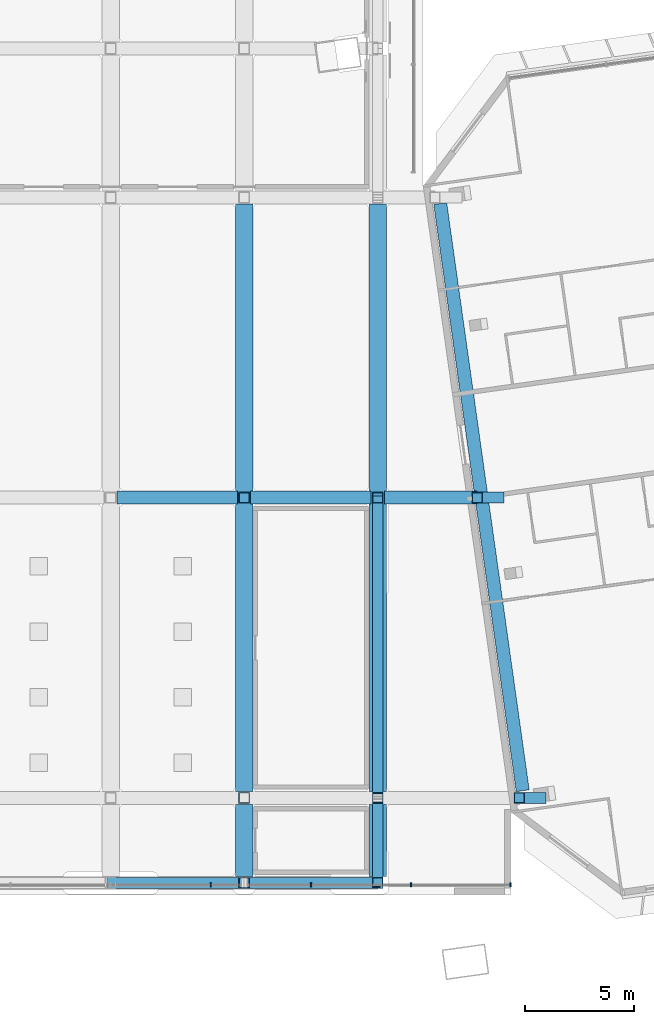
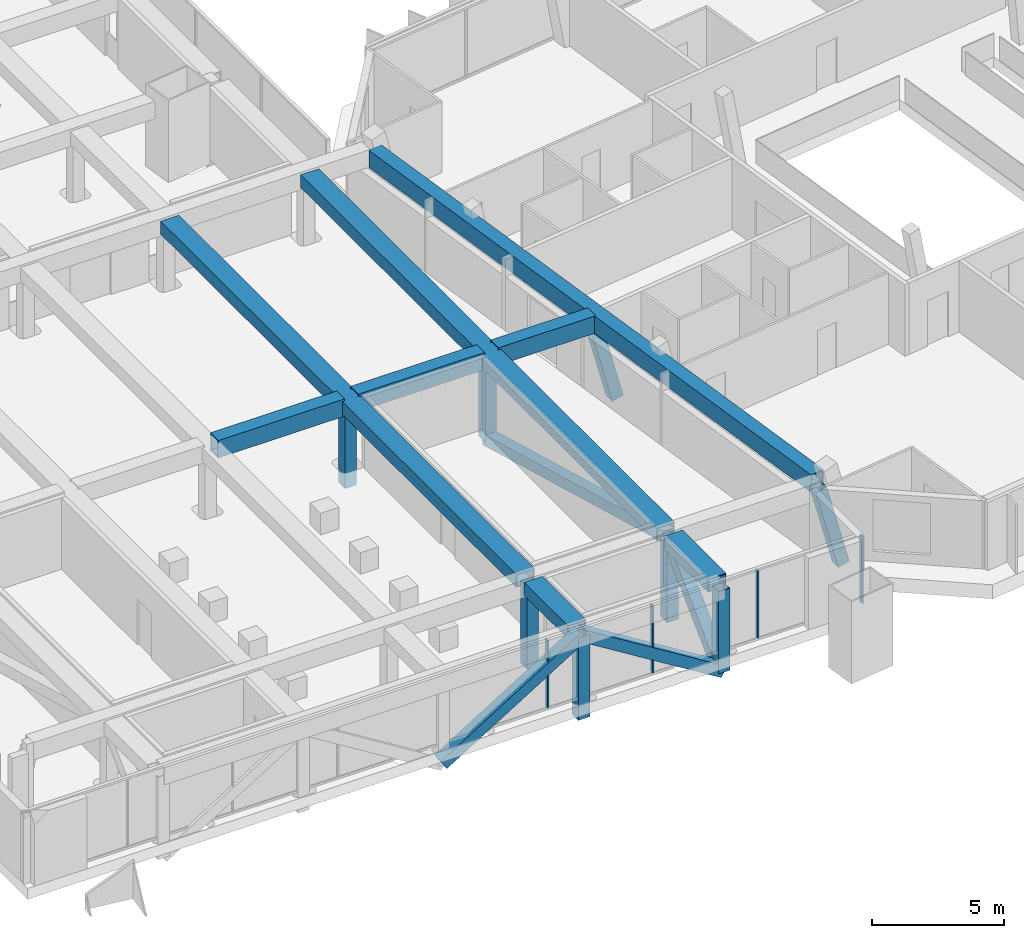
# One storey, part 10 of 30: 23 members, 1 beam, 1 element without a shape of its own.
"""IFC4 building model written with IfcOpenShell, lengths in metres."""

import ifcopenshell
import ifcopenshell.guid

model = None  # the IFC model being written
_history = None  # IfcOwnerHistory: only IFC2X3 demands one
_inside = {}  # id of a spatial element -> (the spatial element, [elements in it])
_under = {}  # id of a project, library or spatial element -> (it, [spatial elements below it])
_declared = {}  # id of a project -> (the project, [libraries it declares])
_typed = {}  # id of a type object -> (the type object, [elements of that type])
_made_of = {}  # id of a material, layer set ... -> (it, [elements and type objects made of it])


def new_model(schema):
    """Start an empty IFC model of exactly this schema.

    Asked for "IFC4X3", IfcOpenShell would pick the latest addendum, in which some entities
    have other attributes; the version numbers below select the first issue.
    IFC2X3 requires an IfcOwnerHistory on every rooted entity: one is made here for all.
    """
    global model, _history
    if schema == "IFC4X3":
        model = ifcopenshell.file(schema_version=(4, 3, 0, 0))
    else:
        model = ifcopenshell.file(schema=schema)
    _inside.clear()
    _under.clear()
    _declared.clear()
    _typed.clear()
    _made_of.clear()
    _history = None
    if model.schema == "IFC2X3":
        org = make("IfcOrganization", Name="unknown")
        user = make(
            "IfcPersonAndOrganization",
            ThePerson=make("IfcPerson", FamilyName="unknown"),
            TheOrganization=org,
        )
        app = make(
            "IfcApplication",
            ApplicationDeveloper=org,
            Version="unknown",
            ApplicationFullName="unknown",
            ApplicationIdentifier="unknown",
        )
        _history = make(
            "IfcOwnerHistory",
            OwningUser=user,
            OwningApplication=app,
            ChangeAction="ADDED",
            CreationDate=0,
        )
    return model


def make(cls, **values):
    """One entity of the class cls with the attributes given. An attribute that is None is left unset."""
    return model.create_entity(
        cls, **{name: value for name, value in values.items() if value is not None}
    )


def rooted(cls, **values):
    """An entity with a GlobalId (a new one), such as an element, a storey or a relation."""
    return make(cls, GlobalId=ifcopenshell.guid.new(), OwnerHistory=_history, **values)


def si_unit(unit_type, name, prefix=None):
    """IfcSIUnit, for example si_unit("LENGTHUNIT", "METRE", prefix="MILLI")."""
    return make("IfcSIUnit", UnitType=unit_type, Prefix=prefix, Name=name)


def assignment(units):
    """IfcUnitAssignment: the units of a project."""
    return None if units is None else make("IfcUnitAssignment", Units=units)


def point(xyz):
    """IfcCartesianPoint."""
    return None if xyz is None else make("IfcCartesianPoint", Coordinates=xyz)


def direction(xyz):
    """IfcDirection."""
    return None if xyz is None else make("IfcDirection", DirectionRatios=xyz)


def frame(location, z_axis=None, x_axis=None):
    """IfcAxis2Placement3D, a coordinate frame: its origin and axes. An axis left out is left unset."""
    return make(
        "IfcAxis2Placement3D",
        Location=point(location),
        Axis=direction(z_axis),
        RefDirection=direction(x_axis),
    )


def frame_2d(location, x_axis=None):
    """IfcAxis2Placement2D, a coordinate frame in the plane: its origin and x axis."""
    return make(
        "IfcAxis2Placement2D", Location=point(location), RefDirection=direction(x_axis)
    )


def origin():
    """The frame at (0, 0, 0) with its axes left unset."""
    return frame((0.0, 0.0, 0.0))


def origin_2d():
    """The frame at (0, 0) in the plane with its x axis left unset."""
    return frame_2d((0.0, 0.0))


def place(relative_to, where):
    """IfcLocalPlacement: puts the frame where relative to a parent placement (None: the world)."""
    return make(
        "IfcLocalPlacement", PlacementRelTo=relative_to, RelativePlacement=where
    )


def context(
    kind, dimensions, precision=None, world=None, true_north=None, identifier=None
):
    """IfcGeometricRepresentationContext, for example the 3D "Model" context."""
    return make(
        "IfcGeometricRepresentationContext",
        ContextIdentifier=identifier,
        ContextType=kind,
        CoordinateSpaceDimension=dimensions,
        Precision=precision,
        WorldCoordinateSystem=world,
        TrueNorth=true_north,
    )


def subcontext(parent, identifier, kind, view, scale=None):
    """IfcGeometricRepresentationSubContext, for example "Body" below "Model"."""
    return make(
        "IfcGeometricRepresentationSubContext",
        ContextIdentifier=identifier,
        ContextType=kind,
        ParentContext=parent,
        TargetScale=scale,
        TargetView=view,
    )


def project(units=None, contexts=None):
    """IfcProject with its units and contexts."""
    return rooted(
        "IfcProject",
        Name="project",
        RepresentationContexts=contexts,
        UnitsInContext=assignment(units),
    )


def spatial(cls, under=None, at=None, **own):
    """A site, building, storey or space (cls), placed at a placement, below another one or the project."""
    s = rooted(cls, ObjectPlacement=at, **own)
    if under is not None:
        _under.setdefault(under.id(), (under, []))[1].append(s)
    return s


def profile(cls, at=None, kind="AREA", **sizes):
    """A parametric profile (cls). Its sizes go by their IFC names, for example OverallWidth=200.0."""
    return make(cls, ProfileType=kind, Position=at, **sizes)


def rectangle(**sizes):
    """IfcRectangleProfileDef."""
    return profile("IfcRectangleProfileDef", **sizes)


def hollow_rectangle(**sizes):
    """IfcRectangleHollowProfileDef."""
    return profile("IfcRectangleHollowProfileDef", **sizes)


def extrude(swept, where, along, depth):
    """IfcExtrudedAreaSolid: the profile swept, set in the frame where, extruded along a direction by depth."""
    return make(
        "IfcExtrudedAreaSolid",
        SweptArea=swept,
        Position=where,
        ExtrudedDirection=direction(along),
        Depth=depth,
    )


def shape(context_of_items, identifier, shape_type, items):
    """IfcShapeRepresentation: the items that make up one representation, for example the "Body"."""
    return make(
        "IfcShapeRepresentation",
        ContextOfItems=context_of_items,
        RepresentationIdentifier=identifier,
        RepresentationType=shape_type,
        Items=items,
    )


def material(Name=None, Category=None):
    """IfcMaterial."""
    return make("IfcMaterial", Name=Name, Category=Category)


def material_profile(
    of_material, cross_section, Name=None, Category=None, Priority=None
):
    """IfcMaterialProfile: a cross section and its material."""
    return make(
        "IfcMaterialProfile",
        Name=Name,
        Material=of_material,
        Profile=cross_section,
        Priority=Priority,
        Category=Category,
    )


def profile_set(profiles, Name=None, composite=None):
    """IfcMaterialProfileSet."""
    return make(
        "IfcMaterialProfileSet",
        Name=Name,
        MaterialProfiles=profiles,
        CompositeProfile=composite,
    )


def made_of(thing, what):
    """Note that an element or type object is made of a material, layer set ...; save() writes the relation."""
    if what is not None:
        _made_of.setdefault(what.id(), (what, []))[1].append(thing)
    return thing


def type_object(cls, material=None, **own):
    """A type object (cls), such as IfcWallType, which elements share."""
    return made_of(rooted(cls, **own), material)


def element(
    cls,
    number,
    at=None,
    inside=None,
    cuts=None,
    type_object=None,
    material=None,
    context=None,
    identifier="Body",
    shape_type=None,
    held_by="IfcProductDefinitionShape",
    body=None,
    shapes=None,
    **own,
):
    """One element of the class cls, such as IfcWall. Its Tag is "e" and its number.

    at: its placement. inside: the storey or other place that contains it. cuts: it is an
    opening in that element (IfcRelVoidsElement). A single representation is given by context,
    identifier, shape_type and body (its items); several are given by shapes. held_by: the class
    of the entity that holds the representations. save() writes the other relations.
    """
    e = rooted(cls, Tag="e%d" % number, ObjectPlacement=at, **own)
    if body is not None:
        shapes = [shape(context, identifier, shape_type, body)]
    if shapes is not None:
        e.Representation = make(held_by, Representations=shapes)
    if inside is not None:
        _inside.setdefault(inside.id(), (inside, []))[1].append(e)
    if cuts is not None:
        rooted(
            "IfcRelVoidsElement", RelatingBuildingElement=cuts, RelatedOpeningElement=e
        )
    if type_object is not None:
        _typed.setdefault(type_object.id(), (type_object, []))[1].append(e)
    return made_of(e, material)


def aggregate(whole, parts):
    """IfcRelAggregates: a whole, such as a stair, and the parts it consists of."""
    return rooted("IfcRelAggregates", RelatingObject=whole, RelatedObjects=parts)


def save(model, path):
    """Write the relations noted so far, then the file.

    IfcRelAggregates (storeys below a building ...), IfcRelContainedInSpatialStructure (elements
    in a storey), IfcRelDefinesByType, IfcRelAssociatesMaterial and IfcRelDeclares: one each for
    every whole, place, type object, material and project.
    """
    for whole, parts in _under.values():
        aggregate(whole, parts)
    for where, things in _inside.values():
        rooted(
            "IfcRelContainedInSpatialStructure",
            RelatedElements=things,
            RelatingStructure=where,
        )
    for kind, things in _typed.values():
        rooted("IfcRelDefinesByType", RelatedObjects=things, RelatingType=kind)
    for what, things in _made_of.values():
        rooted("IfcRelAssociatesMaterial", RelatedObjects=things, RelatingMaterial=what)
    for by, libraries in _declared.values():
        rooted("IfcRelDeclares", RelatingContext=by, RelatedDefinitions=libraries)
    model.write(path)


model = new_model("IFC4")

# Units and contexts
model_context = context("Model", 3, precision=1e-05, world=origin(), true_north=direction((0.0, 1.0)))
body_context = subcontext(model_context, "Body", "Model", "MODEL_VIEW")
ifc_project = project(units=[si_unit("LENGTHUNIT", "METRE"), si_unit("AREAUNIT", "SQUARE_METRE"), si_unit("VOLUMEUNIT", "CUBIC_METRE"), si_unit("PLANEANGLEUNIT", "RADIAN"), si_unit("MASSUNIT", "GRAM", prefix="KILO")], contexts=[model_context])

# Site, building, storey
site_placement = place(None, origin())
site = spatial("IfcSite", under=ifc_project, at=site_placement, CompositionType="ELEMENT")
building_placement = place(site_placement, origin())
building = spatial("IfcBuilding", under=site, at=building_placement, Name="Mirante Cascada Hotel Towers", CompositionType="ELEMENT")
storey_placement = place(building_placement, frame((0.0, 0.0, 258.4)))
storey = spatial("IfcBuildingStorey", under=building, at=storey_placement, Name="L62", CompositionType="ELEMENT", Elevation=258.4)

# Beam
ifc_material_1 = material(Name="Steel ASTM A572 Gr 50", Category="steel")
ifc_material_profile_1 = material_profile(ifc_material_1, hollow_rectangle(XDim=0.6, YDim=0.8, WallThickness=0.04, at=origin_2d()), Name="Box beam 800x600x40 ASTM A572 Gr 50")
ifc_profile_set_1 = profile_set([ifc_material_profile_1], Name="Steel ASTM A572 Gr 50")
beam_type = type_object("IfcBeamType", Name="Box beam 800x600x40 ASTM A572 Gr 50", PredefinedType="BEAM", material=ifc_profile_set_1)
beam_placement = place(storey_placement, frame((18.9, -17.2886, 2.9), z_axis=(-0.1391761, 0.9902677, 0.0), x_axis=(-0.9902677, -0.1391761, 0.0)))
element("IfcBeam", 1, at=beam_placement, inside=storey, type_object=beam_type, Name="Deck end beam T2 L63", PredefinedType="BEAM", context=body_context, shape_type="SweptSolid", body=[
    extrude(hollow_rectangle(XDim=0.6, YDim=0.8, WallThickness=0.04, at=origin_2d()), origin(), (0.0, 0.0, 1.0), 27.19),
])

# Members
ifc_material_2 = material(Name="Steel ASTM A572 Gr 50", Category="steel")
ifc_material_profile_2 = material_profile(ifc_material_2, hollow_rectangle(XDim=0.6, YDim=0.8, WallThickness=0.04, at=origin_2d()), Name="Box chord 800x600x40 ASTM A572 Gr 50")
ifc_profile_set_2 = profile_set([ifc_material_profile_2], Name="Steel ASTM A572 Gr 50")
member_type_1 = type_object("IfcMemberType", Name="Box chord 800x600x40 ASTM A572 Gr 50", PredefinedType="CHORD", material=ifc_profile_set_2)
member_1_placement = place(storey_placement, frame((6.1257, -21.2153, 2.9), z_axis=(0.0, 1.0, 0.0), x_axis=(0.0, 0.0, 1.0)))
element("IfcMember", 2, at=member_1_placement, inside=storey, type_object=member_type_1, Name="dchord sky park L63 13", PredefinedType="CHORD", context=body_context, shape_type="SweptSolid", body=[
    extrude(hollow_rectangle(XDim=0.6, YDim=0.8, WallThickness=0.04, at=origin_2d()), origin(), (0.0, 0.0, 1.0), 3.3),
])
member_2_placement = place(storey_placement, frame((6.1257, -17.3153, 2.9), z_axis=(0.0, 1.0, 0.0), x_axis=(0.0, 0.0, 1.0)))
element("IfcMember", 3, at=member_2_placement, inside=storey, type_object=member_type_1, Name="dchord sky park L63 14", PredefinedType="CHORD", context=body_context, shape_type="SweptSolid", body=[
    extrude(hollow_rectangle(XDim=0.6, YDim=0.8, WallThickness=0.04, at=origin_2d()), origin(), (0.0, 0.0, 1.0), 26.9295),
])
member_3_placement = place(storey_placement, frame((12.2514, -21.2153, 2.9), z_axis=(0.0, 1.0, 0.0), x_axis=(0.0, 0.0, 1.0)))
element("IfcMember", 4, at=member_3_placement, inside=storey, type_object=member_type_1, Name="dchord sky park L63 17", PredefinedType="CHORD", context=body_context, shape_type="SweptSolid", body=[
    extrude(hollow_rectangle(XDim=0.6, YDim=0.8, WallThickness=0.04, at=origin_2d()), origin(), (0.0, 0.0, 1.0), 3.3),
])
member_4_placement = place(storey_placement, frame((12.2514, -17.3153, 2.9), z_axis=(0.0, 1.0, 0.0), x_axis=(0.0, 0.0, 1.0)))
element("IfcMember", 5, at=member_4_placement, inside=storey, type_object=member_type_1, Name="dchord sky park L63 18", PredefinedType="CHORD", context=body_context, shape_type="SweptSolid", body=[
    extrude(hollow_rectangle(XDim=0.6, YDim=0.8, WallThickness=0.04, at=origin_2d()), origin(), (0.0, 0.0, 1.0), 26.9295),
])
for number, where, z_axis, x_axis, name in (
    (6, (0.3, -3.8505, 2.9), (1.0, 0.0, 0.0), (0.0, 1.0, 0.0), "dchord sky park L63 25"),
    (7, (6.4257, -3.8505, 2.9), (1.0, 0.0, 0.0), (0.0, 1.0, 0.0), "dchord sky park L63 26"),
):
    element("IfcMember", number, at=place(storey_placement, frame(where, z_axis=z_axis, x_axis=x_axis)), inside=storey, type_object=member_type_1, Name=name, PredefinedType="CHORD", context=body_context, shape_type="SweptSolid", body=[
        extrude(hollow_rectangle(XDim=0.6, YDim=0.8, WallThickness=0.04, at=origin_2d()), origin(), (0.0, 0.0, 1.0), 5.5257),
    ])
member_5_placement = place(storey_placement, frame((12.5514, -3.8505, 2.9), z_axis=(1.0, 0.0, 0.0), x_axis=(0.0, 1.0, 0.0)))
element("IfcMember", 8, at=member_5_placement, inside=storey, type_object=member_type_1, Name="dchord sky park L63 27", PredefinedType="CHORD", context=body_context, shape_type="SweptSolid", body=[
    extrude(hollow_rectangle(XDim=0.6, YDim=0.8, WallThickness=0.04, at=origin_2d()), origin(), (0.0, 0.0, 1.0), 4.258),
])
ifc_material_3 = material(Name="Steel ASTM A572 Gr 50", Category="steel")
ifc_material_profile_3 = material_profile(ifc_material_3, hollow_rectangle(XDim=0.5, YDim=0.5, WallThickness=0.03, at=origin_2d()), Name="Box diagonal 500x500x30 ASTM A572 Gr 50")
ifc_profile_set_3 = profile_set([ifc_material_profile_3], Name="Steel ASTM A572 Gr 50")
member_type_2 = type_object("IfcMemberType", Name="Box diagonal 500x500x30 ASTM A572 Gr 50", PredefinedType="BRACE", material=ifc_profile_set_3)
member_6_placement = place(storey_placement, frame((12.2514, -21.5153, -0.9), z_axis=(0.0, 0.7162296, 0.6978647), x_axis=(-1.0, 0.0, 0.0)))
element("IfcMember", 9, at=member_6_placement, inside=storey, type_object=member_type_2, Name="ddiag sky park L62 6", PredefinedType="BRACE", context=body_context, shape_type="SweptSolid", body=[
    extrude(hollow_rectangle(XDim=0.5, YDim=0.5, WallThickness=0.03, at=origin_2d()), origin(), (0.0, 0.0, 1.0), 5.4452),
])
member_7_placement = place(storey_placement, frame((12.2514, -3.8505, -0.9), z_axis=(0.0, -0.9639421, 0.2661121), x_axis=(1.0, 0.0, 0.0)))
element("IfcMember", 10, at=member_7_placement, inside=storey, type_object=member_type_2, Name="ddiag sky park L62 7", PredefinedType="BRACE", context=body_context, shape_type="SweptSolid", body=[
    extrude(hollow_rectangle(XDim=0.5, YDim=0.5, WallThickness=0.03, at=origin_2d()), origin(), (0.0, 0.0, 1.0), 14.2797),
])
for number, where, z_axis, x_axis, name in (
    (11, (0.0, -21.5153, -0.9), (0.8497743, 0.0, 0.5271467), (0.0, 1.0, 0.0), "ddiag sky park L62 17"),
    (12, (12.2514, -21.5153, -0.9), (-0.8497743, 0.0, 0.5271467), (0.0, -1.0, 0.0), "ddiag sky park L62 18"),
):
    element("IfcMember", number, at=place(storey_placement, frame(where, z_axis=z_axis, x_axis=x_axis)), inside=storey, type_object=member_type_2, Name=name, PredefinedType="BRACE", context=body_context, shape_type="SweptSolid", body=[
        extrude(hollow_rectangle(XDim=0.5, YDim=0.5, WallThickness=0.03, at=origin_2d()), origin(), (0.0, 0.0, 1.0), 7.2086),
    ])
ifc_material_4 = material(Name="Steel ASTM A572 Gr 50", Category="steel")
ifc_material_profile_4 = material_profile(ifc_material_4, hollow_rectangle(XDim=0.5, YDim=0.5, WallThickness=0.03, at=origin_2d()), Name="Box post 500x500x30 ASTM A572 Gr 50")
ifc_profile_set_4 = profile_set([ifc_material_profile_4], Name="Steel ASTM A572 Gr 50")
member_type_3 = type_object("IfcMemberType", Name="Box post 500x500x30 ASTM A572 Gr 50", PredefinedType="POST", material=ifc_profile_set_4)
for number, where, z_axis, x_axis, name in (
    (13, (6.1257, -21.5153, -0.9), (0.0, 0.0, 1.0), (1.0, 0.0, 0.0), "dpost sky park L62 22"),
    (14, (6.1257, -17.6153, -0.9), (0.0, 0.0, 1.0), (1.0, 0.0, 0.0), "dpost sky park L62 23"),
    (15, (6.1257, -3.8505, -0.9), (0.0, 0.0, 1.0), (1.0, 0.0, 0.0), "dpost sky park L62 24"),
    (16, (12.2514, -21.5153, -0.9), (0.0, 0.0, 1.0), (1.0, 0.0, 0.0), "dpost sky park L62 29"),
    (17, (12.2514, -17.6153, -0.9), (0.0, 0.0, 1.0), (1.0, 0.0, 0.0), "dpost sky park L62 30"),
    (18, (12.2514, -3.8505, -0.9), (0.0, 0.0, 1.0), (1.0, 0.0, 0.0), "dpost sky park L62 31"),
):
    element("IfcMember", number, at=place(storey_placement, frame(where, z_axis=z_axis, x_axis=x_axis)), inside=storey, type_object=member_type_3, Name=name, PredefinedType="POST", context=body_context, shape_type="SweptSolid", body=[
        extrude(hollow_rectangle(XDim=0.5, YDim=0.5, WallThickness=0.03, at=origin_2d()), origin(), (0.0, 0.0, 1.0), 3.8),
    ])
for number, where, z_axis, x_axis, name in (
    (19, (19.7359, -17.6153, -0.9), (-0.2525877, 0.0, 0.967574), (0.0, -1.0, 0.0), "dpost sky park L62 37"),
    (20, (17.8014, -3.8505, -0.9), (-0.2525877, 0.0, 0.967574), (0.0, -1.0, 0.0), "dpost sky park L62 39"),
):
    element("IfcMember", number, at=place(storey_placement, frame(where, z_axis=z_axis, x_axis=x_axis)), inside=storey, type_object=member_type_3, Name=name, PredefinedType="POST", context=body_context, shape_type="SweptSolid", body=[
        extrude(hollow_rectangle(XDim=0.5, YDim=0.5, WallThickness=0.03, at=origin_2d()), origin(), (0.0, 0.0, 1.0), 3.9273),
    ])

# Curtain wall, members
ifc_material_5 = material(Name="Aluminium mullion and transom frame with clear laminated glass", Category="aluminium")
curtain_wall_type = type_object("IfcCurtainWallType", Name="Sky park deck curtain wall ECW5", PredefinedType="NOTDEFINED", material=ifc_material_5)
curtain_wall_placement = place(storey_placement, origin())
curtain_wall = element("IfcCurtainWall", 21, at=curtain_wall_placement, inside=storey, type_object=curtain_wall_type, Name="Sky park glazing L62 run 1", PredefinedType="NOTDEFINED")
ifc_material_6 = material(Name="Anodised aluminium extrusion", Category="aluminium")
ifc_material_profile_5 = material_profile(ifc_material_6, rectangle(XDim=0.18, YDim=0.06, at=origin_2d()), Name="ECW5 MULLION 60x180")
ifc_profile_set_5 = profile_set([ifc_material_profile_5], Name="Anodised aluminium extrusion")
member_type_4 = type_object("IfcMemberType", Name="ECW5 mullion 60x180", PredefinedType="MULLION", material=ifc_profile_set_5)
member_8_placement = place(storey_placement, frame((4.5931, -21.6089, 0.09), z_axis=(0.0, 0.0, 1.0), x_axis=(0.0, 1.0, 0.0)))
member_8 = element("IfcMember", 22, at=member_8_placement, type_object=member_type_4, Name="ECW5 mullion 6", PredefinedType="MULLION", context=body_context, shape_type="SweptSolid", body=[
    extrude(rectangle(XDim=0.18, YDim=0.06, at=origin_2d()), origin(), (0.0, 0.0, 1.0), 3.12),
])
member_9_placement = place(storey_placement, frame((9.1862, -21.6089, 0.09), z_axis=(0.0, 0.0, 1.0), x_axis=(0.0, 1.0, 0.0)))
member_9 = element("IfcMember", 23, at=member_9_placement, type_object=member_type_4, Name="ECW5 mullion 7", PredefinedType="MULLION", context=body_context, shape_type="SweptSolid", body=[
    extrude(rectangle(XDim=0.18, YDim=0.06, at=origin_2d()), origin(), (0.0, 0.0, 1.0), 3.12),
])
member_10_placement = place(storey_placement, frame((13.7793, -21.6089, 0.09), z_axis=(0.0, 0.0, 1.0), x_axis=(0.0, 1.0, 0.0)))
member_10 = element("IfcMember", 24, at=member_10_placement, type_object=member_type_4, Name="ECW5 mullion 8", PredefinedType="MULLION", context=body_context, shape_type="SweptSolid", body=[
    extrude(rectangle(XDim=0.18, YDim=0.06, at=origin_2d()), origin(), (0.0, 0.0, 1.0), 3.12),
])
member_11_placement = place(storey_placement, frame((18.3424, -21.6089, 0.09), z_axis=(0.0, 0.0, 1.0), x_axis=(0.0, 1.0, 0.0)))
member_11 = element("IfcMember", 25, at=member_11_placement, type_object=member_type_4, Name="ECW5 mullion 9", PredefinedType="MULLION", context=body_context, shape_type="SweptSolid", body=[
    extrude(rectangle(XDim=0.18, YDim=0.06, at=origin_2d()), origin(), (0.0, 0.0, 1.0), 3.12),
])
aggregate(curtain_wall, [member_8, member_9, member_10, member_11])

save(model, "model.ifc")
